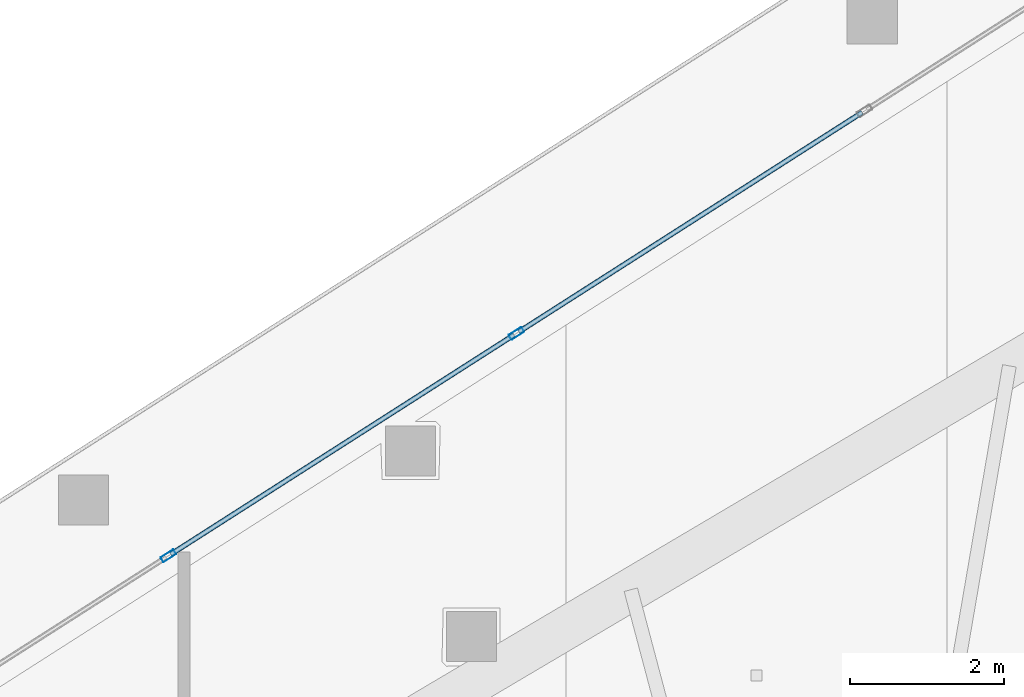
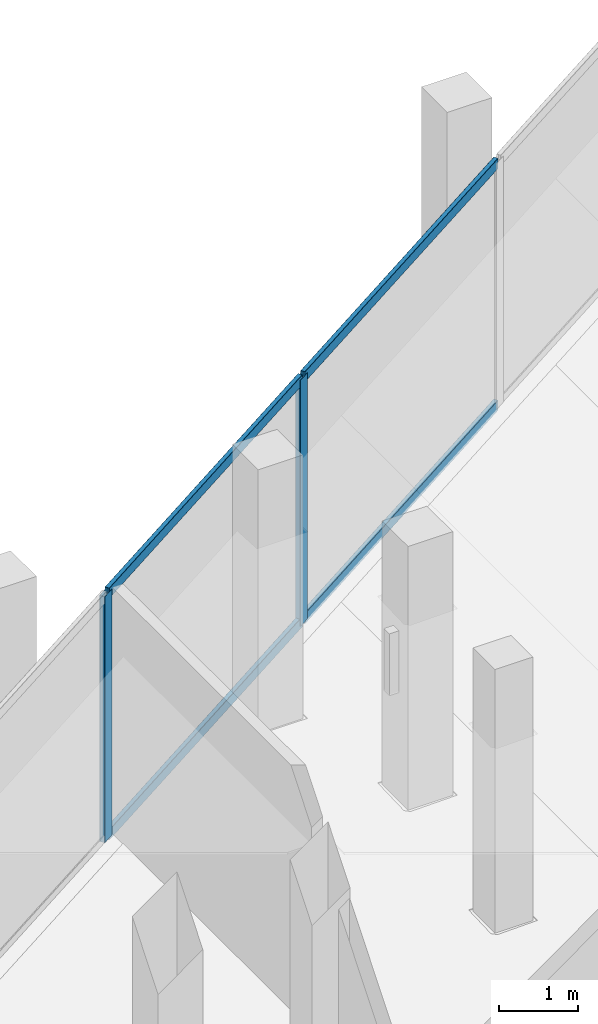
# One storey, part 18 of 39: 6 members, 1 element without a shape of its own.
"""IFC4 building model written with IfcOpenShell, lengths in metres."""

from ifc_helpers import new_model, si_unit, direction, frame, origin, origin_2d, place, context, subcontext, project, spatial, hollow_rectangle, extrude, material, layer, layer_set, material_profile, profile_set, type_object, element, aggregate, save


model = new_model("IFC4")

# Units and contexts
model_context = context("Model", 3, precision=1e-05, world=origin(), true_north=direction((0.0, 1.0)))
body_context = subcontext(model_context, "Body", "Model", "MODEL_VIEW")
ifc_project = project(units=[si_unit("LENGTHUNIT", "METRE"), si_unit("AREAUNIT", "SQUARE_METRE"), si_unit("VOLUMEUNIT", "CUBIC_METRE"), si_unit("PLANEANGLEUNIT", "RADIAN"), si_unit("MASSUNIT", "GRAM", prefix="KILO")], contexts=[model_context])

# Site, building, storey
site_placement = place(None, origin())
site = spatial("IfcSite", under=ifc_project, at=site_placement, CompositionType="ELEMENT")
building_placement = place(site_placement, origin())
building = spatial("IfcBuilding", under=site, at=building_placement, Name="Qorvath Tower", CompositionType="ELEMENT")
storey_placement = place(building_placement, frame((0.0, 0.0, 154.35009765625)))
storey = spatial("IfcBuildingStorey", under=building, at=storey_placement, Name="L35", CompositionType="ELEMENT", Elevation=154.35009765625)

# Curtain wall, members
ifc_material_1 = material(Name="Anodised aluminium and triple low-E glass", Category="aluminium")
ifc_layer = layer(ifc_material_1, 0.179931640625)
ifc_layer_set = layer_set([ifc_layer], Name="CW-SYS-5")
curtain_wall_type = type_object("IfcCurtainWallType", Name="CW-SYS-5", PredefinedType="NOTDEFINED", material=ifc_layer_set)
curtain_wall_placement = place(storey_placement, origin())
curtain_wall = element("IfcCurtainWall", 1, at=curtain_wall_placement, inside=storey, type_object=curtain_wall_type, Name="Curtain Wall CW-5 CW-T-L35-16.1", PredefinedType="NOTDEFINED")
ifc_material_2 = material(Name="Anodised aluminium 6063-T6", Category="aluminium")
ifc_material_profile_1 = material_profile(ifc_material_2, hollow_rectangle(XDim=0.074951171875, YDim=0.199951171875, WallThickness=0.00390625, InnerFilletRadius=0.00390625, OuterFilletRadius=0.008056640625, at=origin_2d()), Name="CWM 200x75")
ifc_profile_set_1 = profile_set([ifc_material_profile_1], Name="Anodised aluminium 6063-T6")
member_type_1 = type_object("IfcMemberType", Name="CWM-200", PredefinedType="MULLION", material=ifc_profile_set_1)
member_1_placement = place(storey_placement, frame((-29.64453125, 20.98486328125, 0.0), z_axis=(0.0, 0.0, 1.0), x_axis=(0.538535404822, -0.842602882592, 0.0)))
member_1 = element("IfcMember", 2, at=member_1_placement, type_object=member_type_1, Name="CW-5 mullion 4", PredefinedType="MULLION", context=body_context, shape_type="SweptSolid", body=[
    extrude(hollow_rectangle(XDim=0.074951171875, YDim=0.199951171875, WallThickness=0.00390625, InnerFilletRadius=0.00390625, OuterFilletRadius=0.008056640625, at=origin_2d()), origin(), (0.0, 0.0, 1.0), 3.77978515625),
])
member_2_placement = place(storey_placement, frame((-34.151123046875, 18.1044921875, 0.0), z_axis=(0.0, 0.0, 1.0), x_axis=(0.538535404822, -0.842602882592, 0.0)))
member_2 = element("IfcMember", 3, at=member_2_placement, type_object=member_type_1, Name="CW-5 mullion 5", PredefinedType="MULLION", context=body_context, shape_type="SweptSolid", body=[
    extrude(hollow_rectangle(XDim=0.074951171875, YDim=0.199951171875, WallThickness=0.00390625, InnerFilletRadius=0.00390625, OuterFilletRadius=0.008056640625, at=origin_2d()), origin(), (0.0, 0.0, 1.0), 3.77978515625),
])
ifc_material_3 = material(Name="Anodised aluminium 6063-T6", Category="aluminium")
ifc_material_profile_2 = material_profile(ifc_material_3, hollow_rectangle(XDim=0.06494140625, YDim=0.159912109375, WallThickness=0.00341796875, InnerFilletRadius=0.00341796875, OuterFilletRadius=0.007080078125, at=origin_2d()), Name="CWT 160x65")
ifc_profile_set_2 = profile_set([ifc_material_profile_2], Name="Anodised aluminium 6063-T6")
member_type_2 = type_object("IfcMemberType", Name="CWT-160", PredefinedType="USERDEFINED", material=ifc_profile_set_2)
member_3_placement = place(storey_placement, frame((-25.16943359375, 23.844970703125, 0.032470703125), z_axis=(-0.842607560857, -0.538528085049, 0.0), x_axis=(0.538528085049, -0.842607560857, 0.0)))
member_3 = element("IfcMember", 4, at=member_3_placement, type_object=member_type_2, Name="CW-5 transom 3.1", ObjectType="TRANSOM", PredefinedType="USERDEFINED", context=body_context, shape_type="SweptSolid", body=[
    extrude(hollow_rectangle(XDim=0.06494140625, YDim=0.159912109375, WallThickness=0.00341796875, InnerFilletRadius=0.00341796875, OuterFilletRadius=0.007080078125, at=origin_2d()), origin(), (0.0, 0.0, 1.0), 5.2734375),
])
member_4_placement = place(storey_placement, frame((-25.16943359375, 23.844970703125, 3.747314453125), z_axis=(-0.842607560857, -0.538528085049, 0.0), x_axis=(0.538528085049, -0.842607560857, 0.0)))
member_4 = element("IfcMember", 5, at=member_4_placement, type_object=member_type_2, Name="CW-5 transom 3.2", ObjectType="TRANSOM", PredefinedType="USERDEFINED", context=body_context, shape_type="SweptSolid", body=[
    extrude(hollow_rectangle(XDim=0.06494140625, YDim=0.159912109375, WallThickness=0.00341796875, InnerFilletRadius=0.00341796875, OuterFilletRadius=0.007080078125, at=origin_2d()), origin(), (0.0, 0.0, 1.0), 5.2734375),
])
member_5_placement = place(storey_placement, frame((-29.676025390625, 20.964599609375, 0.032470703125), z_axis=(-0.842607560857, -0.538528085049, 0.0), x_axis=(0.538528085049, -0.842607560857, 0.0)))
member_5 = element("IfcMember", 6, at=member_5_placement, type_object=member_type_2, Name="CW-5 transom 4.1", ObjectType="TRANSOM", PredefinedType="USERDEFINED", context=body_context, shape_type="SweptSolid", body=[
    extrude(hollow_rectangle(XDim=0.06494140625, YDim=0.159912109375, WallThickness=0.00341796875, InnerFilletRadius=0.00341796875, OuterFilletRadius=0.007080078125, at=origin_2d()), origin(), (0.0, 0.0, 1.0), 5.2734375),
])
member_6_placement = place(storey_placement, frame((-29.676025390625, 20.964599609375, 3.747314453125), z_axis=(-0.842607560857, -0.538528085049, 0.0), x_axis=(0.538528085049, -0.842607560857, 0.0)))
member_6 = element("IfcMember", 7, at=member_6_placement, type_object=member_type_2, Name="CW-5 transom 4.2", ObjectType="TRANSOM", PredefinedType="USERDEFINED", context=body_context, shape_type="SweptSolid", body=[
    extrude(hollow_rectangle(XDim=0.06494140625, YDim=0.159912109375, WallThickness=0.00341796875, InnerFilletRadius=0.00341796875, OuterFilletRadius=0.007080078125, at=origin_2d()), origin(), (0.0, 0.0, 1.0), 5.2734375),
])
aggregate(curtain_wall, [member_1, member_2, member_3, member_4, member_5, member_6])

save(model, "model.ifc")
